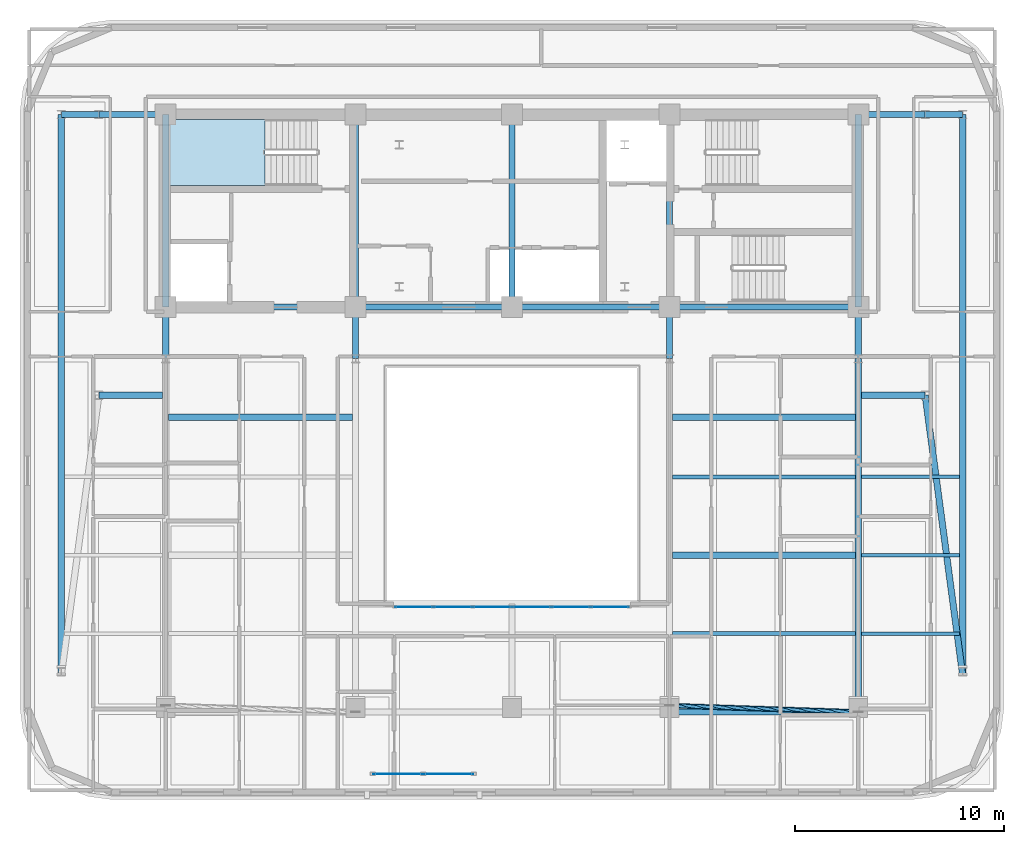
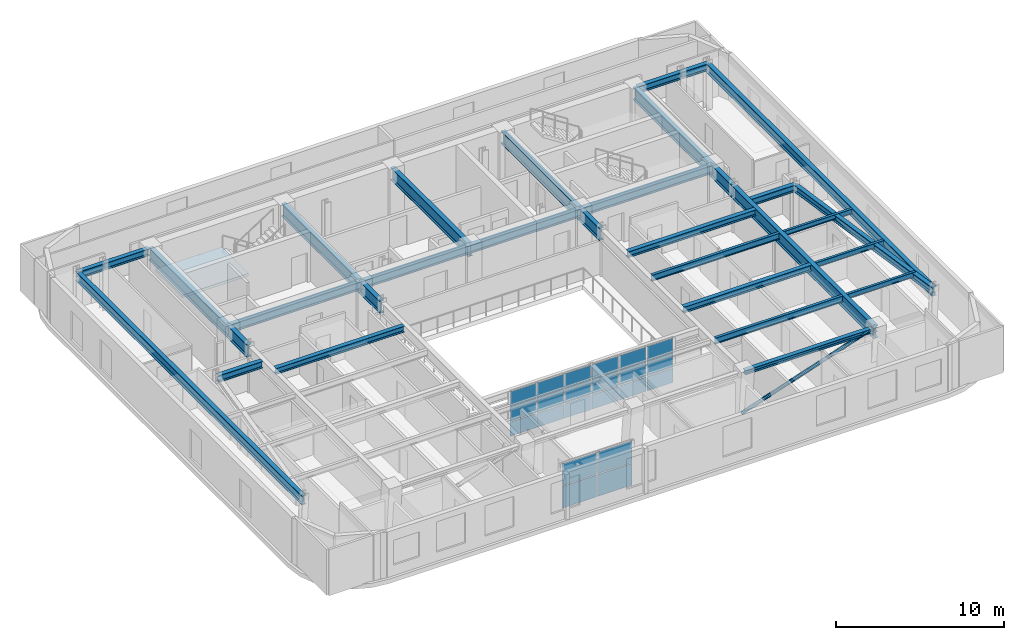
# One storey, part 3 of 14: 32 beams, 22 plates, 1 member, 1 slab, 3 elements without a shape of their own.
"""IFC4 building model written with IfcOpenShell, lengths in metres."""

from ifc_helpers import new_model, si_unit, direction, frame, origin, origin_2d, place, context, subcontext, project, spatial, polyline, rectangle, hollow_circle, i_section, outline, extrude, material, layer, layer_set, material_profile, profile_set, type_object, element, aggregate, save


model = new_model("IFC4")

# Units and contexts
model_context = context("Model", 3, precision=1e-05, world=origin(), true_north=direction((0.0, 1.0)))
body_context = subcontext(model_context, "Body", "Model", "MODEL_VIEW")
ifc_project = project(units=[si_unit("LENGTHUNIT", "METRE"), si_unit("AREAUNIT", "SQUARE_METRE"), si_unit("VOLUMEUNIT", "CUBIC_METRE"), si_unit("PLANEANGLEUNIT", "RADIAN"), si_unit("MASSUNIT", "GRAM", prefix="KILO")], contexts=[model_context])

# Site, building, storey
site_placement = place(None, origin())
site = spatial("IfcSite", under=ifc_project, at=site_placement, CompositionType="ELEMENT")
building_placement = place(site_placement, origin())
building = spatial("IfcBuilding", under=site, at=building_placement, Name="Zarnavel Station Tower", CompositionType="ELEMENT")
storey_placement = place(building_placement, frame((0.0, 0.0, 193.199951171875)))
storey = spatial("IfcBuildingStorey", under=building, at=storey_placement, Name="L52", CompositionType="ELEMENT", Elevation=193.199951171875)

# Member
ifc_material_1 = material(Name="Steel S355J2", Category="steel")
ifc_material_profile_1 = material_profile(ifc_material_1, hollow_circle(Radius=0.122314453125, WallThickness=0.010009765625, at=origin_2d()), Name="CHS244.5x10")
ifc_profile_set_1 = profile_set([ifc_material_profile_1], Name="Steel S355J2")
member_type = type_object("IfcMemberType", Name="DB_EXT_CHS245", PredefinedType="BRACE", material=ifc_profile_set_1)
member_placement = place(storey_placement, frame((36.35009765625, 8.72021484375, 0.0), z_axis=(0.937681259663, -0.031367345473, 0.3460779463), x_axis=(0.033433332735, 0.999440949863, 0.0)))
element("IfcMember", 1, at=member_placement, inside=storey, type_object=member_type, Name="L52 Persian Exterior Diagonal Frame Brace 2", PredefinedType="BRACE", context=body_context, shape_type="SweptSolid", body=[
    extrude(hollow_circle(Radius=0.122314453125, WallThickness=0.010009765625, at=origin_2d()), origin(), (0.0, 0.0, 1.0), 9.6513671875),
])

# Beams
ifc_material_2 = material(Name="Steel S355J2", Category="steel")
ifc_material_profile_2 = material_profile(ifc_material_2, i_section(OverallWidth=0.300048828125, OverallDepth=0.320068359375, WebThickness=0.011474609375, FlangeThickness=0.0205078125, FilletRadius=0.027099609375, at=origin_2d()), Name="HEB320")
ifc_profile_set_2 = profile_set([ifc_material_profile_2], Name="Steel S355J2")
beam_type_1 = type_object("IfcBeamType", Name="EB_HEB320", PredefinedType="SPANDREL", material=ifc_profile_set_2)
beam_1_placement = place(storey_placement, frame((36.35009765625, 8.41748046875, 3.179931640625), z_axis=(1.0, 0.0, 0.0), x_axis=(0.0, 1.0, 0.0)))
element("IfcBeam", 2, at=beam_1_placement, inside=storey, type_object=beam_type_1, Name="L52 South Raked Spandrel 4", PredefinedType="SPANDREL", context=body_context, shape_type="SweptSolid", body=[
    extrude(i_section(OverallWidth=0.300048828125, OverallDepth=0.320068359375, WebThickness=0.011474609375, FlangeThickness=0.0205078125, FilletRadius=0.027099609375, at=origin_2d()), origin(), (0.0, 0.0, 1.0), 9.0498046875),
])
ifc_material_3 = material(Name="Steel S355J2", Category="steel")
ifc_material_profile_3 = material_profile(ifc_material_3, i_section(OverallWidth=0.300048828125, OverallDepth=0.43994140625, WebThickness=0.011474609375, FlangeThickness=0.02099609375, FilletRadius=0.027099609375, at=origin_2d()), Name="HEA450")
ifc_profile_set_3 = profile_set([ifc_material_profile_3], Name="Steel S355J2")
beam_type_2 = type_object("IfcBeamType", Name="FB_HEA450", PredefinedType="BEAM", material=ifc_profile_set_3)
beam_2_placement = place(storey_placement, frame((36.4951171875, 15.930419921875, 3.1201171875), z_axis=(1.0, 0.0, 0.0), x_axis=(0.0, 1.0, 0.0)))
element("IfcBeam", 3, at=beam_2_placement, inside=storey, type_object=beam_type_2, Name="L52 East Bay Beam 2", PredefinedType="BEAM", context=body_context, shape_type="SweptSolid", body=[
    extrude(i_section(OverallWidth=0.300048828125, OverallDepth=0.43994140625, WebThickness=0.011474609375, FlangeThickness=0.02099609375, FilletRadius=0.027099609375, at=origin_2d()), origin(), (0.0, 0.0, 1.0), 8.759765625),
])
beam_3_placement = place(storey_placement, frame((12.344970703125, 22.54345703125, 3.1201171875), z_axis=(1.0, 0.0, 0.0), x_axis=(0.0, 1.0, 0.0)))
element("IfcBeam", 4, at=beam_3_placement, inside=storey, type_object=beam_type_2, Name="L52 West Bay Beam 4", PredefinedType="BEAM", context=body_context, shape_type="SweptSolid", body=[
    extrude(i_section(OverallWidth=0.300048828125, OverallDepth=0.43994140625, WebThickness=0.011474609375, FlangeThickness=0.02099609375, FilletRadius=0.027099609375, at=origin_2d()), origin(), (0.0, 0.0, 1.0), 8.81005859375),
])
beam_4_placement = place(storey_placement, frame((36.4951171875, 22.54345703125, 3.1201171875), z_axis=(1.0, 0.0, 0.0), x_axis=(0.0, 1.0, 0.0)))
element("IfcBeam", 5, at=beam_4_placement, inside=storey, type_object=beam_type_2, Name="L52 East Bay Beam 4", PredefinedType="BEAM", context=body_context, shape_type="SweptSolid", body=[
    extrude(i_section(OverallWidth=0.300048828125, OverallDepth=0.43994140625, WebThickness=0.011474609375, FlangeThickness=0.02099609375, FilletRadius=0.027099609375, at=origin_2d()), origin(), (0.0, 0.0, 1.0), 8.759765625),
])
ifc_material_4 = material(Name="Steel S355J2", Category="steel")
ifc_material_profile_4 = material_profile(ifc_material_4, i_section(OverallWidth=0.18994140625, OverallDepth=0.449951171875, WebThickness=0.009521484375, FlangeThickness=0.0146484375, FilletRadius=0.02099609375, at=origin_2d()), Name="IPE450")
ifc_profile_set_4 = profile_set([ifc_material_profile_4], Name="Steel S355J2")
beam_type_3 = type_object("IfcBeamType", Name="FB_IPE450", PredefinedType="BEAM", material=ifc_profile_set_4)
for number, where, z_axis, x_axis, name in (
    (6, (36.4951171875, 12.174072265625, 3.114990234375), (1.0, 0.0, 0.0), (0.0, 1.0, 0.0), "L52 East Bay Beam 1"),
    (7, (36.4951171875, 19.68701171875, 3.114990234375), (1.0, 0.0, 0.0), (0.0, 1.0, 0.0), "L52 East Bay Beam 3"),
):
    element("IfcBeam", number, at=place(storey_placement, frame(where, z_axis=z_axis, x_axis=x_axis)), inside=storey, type_object=beam_type_3, Name=name, PredefinedType="BEAM", context=body_context, shape_type="SweptSolid", body=[
        extrude(i_section(OverallWidth=0.18994140625, OverallDepth=0.449951171875, WebThickness=0.009521484375, FlangeThickness=0.0146484375, FilletRadius=0.02099609375, at=origin_2d()), origin(), (0.0, 0.0, 1.0), 8.759765625),
    ])
ifc_material_5 = material(Name="Steel S355J2", Category="steel")
ifc_material_profile_5 = material_profile(ifc_material_5, i_section(OverallWidth=0.300048828125, OverallDepth=0.5, WebThickness=0.014404296875, FlangeThickness=0.028076171875, FilletRadius=0.027099609375, at=origin_2d()), Name="HEB500")
ifc_profile_set_5 = profile_set([ifc_material_profile_5], Name="Steel S355J2")
beam_type_4 = type_object("IfcBeamType", Name="FG_HEB500", PredefinedType="USERDEFINED", material=ifc_profile_set_5)
beam_5_placement = place(storey_placement, frame((7.199951171875, 37.050048828125, 3.090087890625), z_axis=(1.0, 0.0, 0.0), x_axis=(0.0, 1.0, 0.0)))
element("IfcBeam", 8, at=beam_5_placement, inside=storey, type_object=beam_type_4, Name="L52 West Wing North Tie 1", ObjectType="GIRDER", PredefinedType="USERDEFINED", context=body_context, shape_type="SweptSolid", body=[
    extrude(i_section(OverallWidth=0.300048828125, OverallDepth=0.5, WebThickness=0.014404296875, FlangeThickness=0.028076171875, FilletRadius=0.027099609375, at=origin_2d()), origin(), (0.0, 0.0, 1.0), 1.800048828125),
])
for number, where, z_axis, x_axis, name in (
    (9, (9.0, 23.60009765625, 3.090087890625), (1.0, 0.0, 0.0), (0.0, 1.0, 0.0), "L52 West Wing South Tie 2"),
    (10, (9.0, 37.050048828125, 3.090087890625), (1.0, 0.0, 0.0), (0.0, 1.0, 0.0), "L52 West Wing North Tie 2"),
):
    element("IfcBeam", number, at=place(storey_placement, frame(where, z_axis=z_axis, x_axis=x_axis)), inside=storey, type_object=beam_type_4, Name=name, ObjectType="GIRDER", PredefinedType="USERDEFINED", context=body_context, shape_type="SweptSolid", body=[
        extrude(i_section(OverallWidth=0.300048828125, OverallDepth=0.5, WebThickness=0.014404296875, FlangeThickness=0.028076171875, FilletRadius=0.027099609375, at=origin_2d()), origin(), (0.0, 0.0, 1.0), 3.054931640625),
    ])
for number, where, z_axis, x_axis, name in (
    (11, (45.544921875, 23.60009765625, 3.090087890625), (1.0, 0.0, 0.0), (0.0, 1.0, 0.0), "L52 East Wing South Tie 1"),
    (12, (45.544921875, 37.050048828125, 3.090087890625), (1.0, 0.0, 0.0), (0.0, 1.0, 0.0), "L52 East Wing North Tie 1"),
):
    element("IfcBeam", number, at=place(storey_placement, frame(where, z_axis=z_axis, x_axis=x_axis)), inside=storey, type_object=beam_type_4, Name=name, ObjectType="GIRDER", PredefinedType="USERDEFINED", context=body_context, shape_type="SweptSolid", body=[
        extrude(i_section(OverallWidth=0.300048828125, OverallDepth=0.5, WebThickness=0.014404296875, FlangeThickness=0.028076171875, FilletRadius=0.027099609375, at=origin_2d()), origin(), (0.0, 0.0, 1.0), 3.05517578125),
    ])
beam_6_placement = place(storey_placement, frame((48.60009765625, 23.60009765625, 3.090087890625), z_axis=(0.132843570895, -0.991137016599, 0.0), x_axis=(0.991137016599, 0.132843570895, 0.0)))
element("IfcBeam", 13, at=beam_6_placement, inside=storey, type_object=beam_type_4, Name="L52 East Wing South Tie 2", ObjectType="GIRDER", PredefinedType="USERDEFINED", context=body_context, shape_type="SweptSolid", body=[
    extrude(i_section(OverallWidth=0.300048828125, OverallDepth=0.5, WebThickness=0.014404296875, FlangeThickness=0.028076171875, FilletRadius=0.027099609375, at=origin_2d()), origin(), (0.0, 0.0, 1.0), 13.54833984375),
])
beam_7_placement = place(storey_placement, frame((48.60009765625, 37.050048828125, 3.090087890625), z_axis=(1.0, 0.0, 0.0), x_axis=(0.0, 1.0, 0.0)))
element("IfcBeam", 14, at=beam_7_placement, inside=storey, type_object=beam_type_4, Name="L52 East Wing North Tie 2", ObjectType="GIRDER", PredefinedType="USERDEFINED", context=body_context, shape_type="SweptSolid", body=[
    extrude(i_section(OverallWidth=0.300048828125, OverallDepth=0.5, WebThickness=0.014404296875, FlangeThickness=0.028076171875, FilletRadius=0.027099609375, at=origin_2d()), origin(), (0.0, 0.0, 1.0), 1.7998046875),
])
ifc_material_6 = material(Name="Steel S355J2", Category="steel")
ifc_material_profile_6 = material_profile(ifc_material_6, i_section(OverallWidth=0.300048828125, OverallDepth=0.60009765625, WebThickness=0.015380859375, FlangeThickness=0.030029296875, FilletRadius=0.027099609375, at=origin_2d()), Name="HEB600")
ifc_profile_set_6 = profile_set([ifc_material_profile_6], Name="Steel S355J2")
beam_type_5 = type_object("IfcBeamType", Name="FG_HEB600", PredefinedType="USERDEFINED", material=ifc_profile_set_6)
beam_8_placement = place(storey_placement, frame((12.199951171875, 27.820068359375, 3.0400390625), z_axis=(1.0, 0.0, 0.0), x_axis=(0.0, 1.0, 0.0)))
element("IfcBeam", 15, at=beam_8_placement, inside=storey, type_object=beam_type_5, Name="L52 Core Front Coupling Beam 1", ObjectType="GIRDER", PredefinedType="USERDEFINED", context=body_context, shape_type="SweptSolid", body=[
    extrude(i_section(OverallWidth=0.300048828125, OverallDepth=0.60009765625, WebThickness=0.015380859375, FlangeThickness=0.030029296875, FilletRadius=0.027099609375, at=origin_2d()), origin(), (0.0, 0.0, 1.0), 9.10009765625),
])
beam_9_placement = place(storey_placement, frame((21.300048828125, 27.820068359375, 3.0400390625), z_axis=(1.0, 0.0, 0.0), x_axis=(0.0, 1.0, 0.0)))
element("IfcBeam", 16, at=beam_9_placement, inside=storey, type_object=beam_type_5, Name="L52 Core Front Coupling Beam 2", ObjectType="GIRDER", PredefinedType="USERDEFINED", context=body_context, shape_type="SweptSolid", body=[
    extrude(i_section(OverallWidth=0.300048828125, OverallDepth=0.60009765625, WebThickness=0.015380859375, FlangeThickness=0.030029296875, FilletRadius=0.027099609375, at=origin_2d()), origin(), (0.0, 0.0, 1.0), 7.5),
])
beam_10_placement = place(storey_placement, frame((28.800048828125, 27.820068359375, 3.0400390625), z_axis=(1.0, 0.0, 0.0), x_axis=(0.0, 1.0, 0.0)))
element("IfcBeam", 17, at=beam_10_placement, inside=storey, type_object=beam_type_5, Name="L52 Core Front Coupling Beam 3", ObjectType="GIRDER", PredefinedType="USERDEFINED", context=body_context, shape_type="SweptSolid", body=[
    extrude(i_section(OverallWidth=0.300048828125, OverallDepth=0.60009765625, WebThickness=0.015380859375, FlangeThickness=0.030029296875, FilletRadius=0.027099609375, at=origin_2d()), origin(), (0.0, 0.0, 1.0), 7.550048828125),
])
beam_11_placement = place(storey_placement, frame((36.35009765625, 27.820068359375, 3.0400390625), z_axis=(1.0, 0.0, 0.0), x_axis=(0.0, 1.0, 0.0)))
element("IfcBeam", 18, at=beam_11_placement, inside=storey, type_object=beam_type_5, Name="L52 Core Front Coupling Beam 4", ObjectType="GIRDER", PredefinedType="USERDEFINED", context=body_context, shape_type="SweptSolid", body=[
    extrude(i_section(OverallWidth=0.300048828125, OverallDepth=0.60009765625, WebThickness=0.015380859375, FlangeThickness=0.030029296875, FilletRadius=0.027099609375, at=origin_2d()), origin(), (0.0, 0.0, 1.0), 9.0498046875),
])
ifc_material_7 = material(Name="Steel S355J2", Category="steel")
ifc_material_profile_7 = material_profile(ifc_material_7, i_section(OverallWidth=0.300048828125, OverallDepth=0.64990234375, WebThickness=0.01611328125, FlangeThickness=0.031005859375, FilletRadius=0.027099609375, at=origin_2d()), Name="HEB650")
ifc_profile_set_7 = profile_set([ifc_material_profile_7], Name="Steel S355J2")
beam_type_6 = type_object("IfcBeamType", Name="FG_HEB650", PredefinedType="USERDEFINED", material=ifc_profile_set_7)
for number, where, z_axis, x_axis, name in (
    (19, (7.199951171875, 10.171875, 3.01513671875), (0.0, 1.0, 0.0), (-1.0, 0.0, 0.0), "L52 Wing NS Girder 1"),
    (20, (50.39990234375, 10.171875, 3.01513671875), (0.0, 1.0, 0.0), (-1.0, 0.0, 0.0), "L52 Wing NS Girder 2"),
):
    element("IfcBeam", number, at=place(storey_placement, frame(where, z_axis=z_axis, x_axis=x_axis)), inside=storey, type_object=beam_type_6, Name=name, ObjectType="GIRDER", PredefinedType="USERDEFINED", context=body_context, shape_type="SweptSolid", body=[
        extrude(i_section(OverallWidth=0.300048828125, OverallDepth=0.64990234375, WebThickness=0.01611328125, FlangeThickness=0.031005859375, FilletRadius=0.027099609375, at=origin_2d()), origin(), (0.0, 0.0, 1.0), 26.878173828125),
    ])
ifc_material_8 = material(Name="Steel S355J2", Category="steel")
ifc_material_profile_8 = material_profile(ifc_material_8, i_section(OverallWidth=0.300048828125, OverallDepth=0.89990234375, WebThickness=0.0185546875, FlangeThickness=0.034912109375, FilletRadius=0.030029296875, at=origin_2d()), Name="HEB900")
ifc_profile_set_8 = profile_set([ifc_material_profile_8], Name="Steel S355J2")
beam_type_7 = type_object("IfcBeamType", Name="FG_HEB900", PredefinedType="USERDEFINED", material=ifc_profile_set_8)
for number, where, z_axis, x_axis, name in (
    (21, (12.199951171875, 25.35009765625, 2.89013671875), (0.0, 1.0, 0.0), (-1.0, 0.0, 0.0), "L52 Inner-Zone NS Girder 1"),
    (22, (21.300048828125, 25.35009765625, 2.89013671875), (0.0, 1.0, 0.0), (-1.0, 0.0, 0.0), "L52 Inner-Zone NS Girder 2"),
    (23, (36.35009765625, 25.35009765625, 2.89013671875), (0.0, 1.0, 0.0), (-1.0, 0.0, 0.0), "L52 Inner-Zone NS Girder 4"),
):
    element("IfcBeam", number, at=place(storey_placement, frame(where, z_axis=z_axis, x_axis=x_axis)), inside=storey, type_object=beam_type_7, Name=name, ObjectType="GIRDER", PredefinedType="USERDEFINED", context=body_context, shape_type="SweptSolid", body=[
        extrude(i_section(OverallWidth=0.300048828125, OverallDepth=0.89990234375, WebThickness=0.0185546875, FlangeThickness=0.034912109375, FilletRadius=0.030029296875, at=origin_2d()), origin(), (0.0, 0.0, 1.0), 2.469970703125),
    ])
beam_12_placement = place(storey_placement, frame((45.39990234375, 8.41748046875, 2.89013671875), z_axis=(0.0, 1.0, 0.0), x_axis=(-1.0, 0.0, 0.0)))
element("IfcBeam", 24, at=beam_12_placement, inside=storey, type_object=beam_type_7, Name="L52 South-Zone NS Girder 5", ObjectType="GIRDER", PredefinedType="USERDEFINED", context=body_context, shape_type="SweptSolid", body=[
    extrude(i_section(OverallWidth=0.300048828125, OverallDepth=0.89990234375, WebThickness=0.0185546875, FlangeThickness=0.034912109375, FilletRadius=0.030029296875, at=origin_2d()), origin(), (0.0, 0.0, 1.0), 16.9326171875),
])
beam_13_placement = place(storey_placement, frame((45.39990234375, 25.35009765625, 2.89013671875), z_axis=(0.0, 1.0, 0.0), x_axis=(-1.0, 0.0, 0.0)))
element("IfcBeam", 25, at=beam_13_placement, inside=storey, type_object=beam_type_7, Name="L52 Inner-Zone NS Girder 5", ObjectType="GIRDER", PredefinedType="USERDEFINED", context=body_context, shape_type="SweptSolid", body=[
    extrude(i_section(OverallWidth=0.300048828125, OverallDepth=0.89990234375, WebThickness=0.0185546875, FlangeThickness=0.034912109375, FilletRadius=0.030029296875, at=origin_2d()), origin(), (0.0, 0.0, 1.0), 2.469970703125),
])
ifc_material_9 = material(Name="Steel S355J2", Category="steel")
ifc_material_profile_9 = material_profile(ifc_material_9, i_section(OverallWidth=0.169921875, OverallDepth=0.360107421875, WebThickness=0.008056640625, FlangeThickness=0.0126953125, FilletRadius=0.01806640625, at=origin_2d()), Name="IPE360")
ifc_profile_set_9 = profile_set([ifc_material_profile_9], Name="Steel S355J2")
beam_type_8 = type_object("IfcBeamType", Name="FJ_IPE360", PredefinedType="JOIST", material=ifc_profile_set_9)
for number, where, z_axis, x_axis, name in (
    (26, (45.544921875, 12.174072265625, 3.16015625), (1.0, 0.0, 0.0), (0.0, 1.0, 0.0), "L52 East Wing Joist 1"),
    (27, (45.544921875, 15.930419921875, 3.16015625), (1.0, 0.0, 0.0), (0.0, 1.0, 0.0), "L52 East Wing Joist 2"),
    (28, (45.544921875, 19.68701171875, 3.16015625), (1.0, 0.0, 0.0), (0.0, 1.0, 0.0), "L52 East Wing Joist 3"),
):
    element("IfcBeam", number, at=place(storey_placement, frame(where, z_axis=z_axis, x_axis=x_axis)), inside=storey, type_object=beam_type_8, Name=name, PredefinedType="JOIST", context=body_context, shape_type="SweptSolid", body=[
        extrude(i_section(OverallWidth=0.169921875, OverallDepth=0.360107421875, WebThickness=0.008056640625, FlangeThickness=0.0126953125, FilletRadius=0.01806640625, at=origin_2d()), origin(), (0.0, 0.0, 1.0), 4.7099609375),
    ])
ifc_material_10 = material(Name="Steel S460M", Category="steel")
ifc_material_profile_10 = material_profile(ifc_material_10, i_section(OverallWidth=0.302001953125, OverallDepth=0.909912109375, WebThickness=0.02099609375, FlangeThickness=0.0400390625, FilletRadius=0.030029296875, at=origin_2d()), Name="HEM900")
ifc_profile_set_10 = profile_set([ifc_material_profile_10], Name="Steel S460M")
beam_type_9 = type_object("IfcBeamType", Name="TG_HEM900", PredefinedType="USERDEFINED", material=ifc_profile_set_10)
for number, where, z_axis, x_axis, name in (
    (29, (12.199951171875, 27.820068359375, 2.885009765625), (0.0, 1.0, 0.0), (-1.0, 0.0, 0.0), "L52 Core Spine Coupling Girder 1"),
    (30, (21.300048828125, 27.820068359375, 2.885009765625), (0.0, 1.0, 0.0), (-1.0, 0.0, 0.0), "L52 Core Spine Coupling Girder 2"),
    (31, (28.800048828125, 27.820068359375, 2.885009765625), (0.0, 1.0, 0.0), (-1.0, 0.0, 0.0), "L52 Core Spine Coupling Girder 3"),
    (32, (36.35009765625, 27.820068359375, 2.885009765625), (0.0, 1.0, 0.0), (-1.0, 0.0, 0.0), "L52 Core Spine Coupling Girder 4"),
    (33, (45.39990234375, 27.820068359375, 2.885009765625), (0.0, 1.0, 0.0), (-1.0, 0.0, 0.0), "L52 Core Spine Coupling Girder 5"),
):
    element("IfcBeam", number, at=place(storey_placement, frame(where, z_axis=z_axis, x_axis=x_axis)), inside=storey, type_object=beam_type_9, Name=name, ObjectType="GIRDER", PredefinedType="USERDEFINED", context=body_context, shape_type="SweptSolid", body=[
        extrude(i_section(OverallWidth=0.302001953125, OverallDepth=0.909912109375, WebThickness=0.02099609375, FlangeThickness=0.0400390625, FilletRadius=0.030029296875, at=origin_2d()), origin(), (0.0, 0.0, 1.0), 9.22998046875),
    ])

# Curtain wall, plates
ifc_material_11 = material(Name="Aluminium Dark Anodised and Solar-Control Glass", Category="aluminium")
ifc_layer_1 = layer(ifc_material_11, 0.179931640625)
ifc_layer_set_1 = layer_set([ifc_layer_1], Name="CWS5")
curtain_wall_type_1 = type_object("IfcCurtainWallType", Name="CWS5", PredefinedType="NOTDEFINED", material=ifc_layer_set_1)
curtain_wall_1_placement = place(storey_placement, origin())
curtain_wall_1 = element("IfcCurtainWall", 34, at=curtain_wall_1_placement, inside=storey, type_object=curtain_wall_type_1, Name="L52 Curtain Wall CWS5-L52-AS", PredefinedType="NOTDEFINED")
ifc_material_12 = material(Name="Double Low-E Dark Solar-Control Glass", Category="glass")
ifc_layer_2 = layer(ifc_material_12, 0.033935546875)
ifc_layer_set_2 = layer_set([ifc_layer_2], Name="CWS5_PNL")
plate_type_1 = type_object("IfcPlateType", Name="CWS5_PNL", PredefinedType="CURTAIN_PANEL", material=ifc_layer_set_2)
plate_1_placement = place(storey_placement, frame((24.106689453125, 13.449951171875, 0.06005859375), z_axis=(0.0, 0.0, 1.0), x_axis=(1.0, 0.0, 0.0)))
plate_1 = element("IfcPlate", 35, at=plate_1_placement, type_object=plate_type_1, Name="CW5 panel 1.1", PredefinedType="CURTAIN_PANEL", context=body_context, shape_type="SweptSolid", body=[
    extrude(rectangle(XDim=1.793212890625, YDim=0.028076171875, at=origin_2d()), origin(), (0.0, 0.0, 1.0), 1.023193359375),
])
plate_2_placement = place(storey_placement, frame((24.106689453125, 13.449951171875, 1.1435546875), z_axis=(0.0, 0.0, 1.0), x_axis=(1.0, 0.0, 0.0)))
plate_2 = element("IfcPlate", 36, at=plate_2_placement, type_object=plate_type_1, Name="CW5 panel 1.2", PredefinedType="CURTAIN_PANEL", context=body_context, shape_type="SweptSolid", body=[
    extrude(rectangle(XDim=1.793212890625, YDim=0.028076171875, at=origin_2d()), origin(), (0.0, 0.0, 1.0), 1.053466796875),
])
plate_3_placement = place(storey_placement, frame((24.106689453125, 13.449951171875, 2.2568359375), z_axis=(0.0, 0.0, 1.0), x_axis=(1.0, 0.0, 0.0)))
plate_3 = element("IfcPlate", 37, at=plate_3_placement, type_object=plate_type_1, Name="CW5 panel 1.3", PredefinedType="CURTAIN_PANEL", context=body_context, shape_type="SweptSolid", body=[
    extrude(rectangle(XDim=1.793212890625, YDim=0.028076171875, at=origin_2d()), origin(), (0.0, 0.0, 1.0), 1.023193359375),
])
plate_4_placement = place(storey_placement, frame((25.97509765625, 13.449951171875, 0.06005859375), z_axis=(0.0, 0.0, 1.0), x_axis=(1.0, 0.0, 0.0)))
plate_4 = element("IfcPlate", 38, at=plate_4_placement, type_object=plate_type_1, Name="CW5 panel 2.1", PredefinedType="CURTAIN_PANEL", context=body_context, shape_type="SweptSolid", body=[
    extrude(rectangle(XDim=1.8232421875, YDim=0.028076171875, at=origin_2d()), origin(), (0.0, 0.0, 1.0), 1.023193359375),
])
plate_5_placement = place(storey_placement, frame((25.97509765625, 13.449951171875, 1.1435546875), z_axis=(0.0, 0.0, 1.0), x_axis=(1.0, 0.0, 0.0)))
plate_5 = element("IfcPlate", 39, at=plate_5_placement, type_object=plate_type_1, Name="CW5 panel 2.2", PredefinedType="CURTAIN_PANEL", context=body_context, shape_type="SweptSolid", body=[
    extrude(rectangle(XDim=1.8232421875, YDim=0.028076171875, at=origin_2d()), origin(), (0.0, 0.0, 1.0), 1.053466796875),
])
plate_6_placement = place(storey_placement, frame((25.97509765625, 13.449951171875, 2.2568359375), z_axis=(0.0, 0.0, 1.0), x_axis=(1.0, 0.0, 0.0)))
plate_6 = element("IfcPlate", 40, at=plate_6_placement, type_object=plate_type_1, Name="CW5 panel 2.3", PredefinedType="CURTAIN_PANEL", context=body_context, shape_type="SweptSolid", body=[
    extrude(rectangle(XDim=1.8232421875, YDim=0.028076171875, at=origin_2d()), origin(), (0.0, 0.0, 1.0), 1.023193359375),
])
plate_7_placement = place(storey_placement, frame((27.8583984375, 13.449951171875, 0.06005859375), z_axis=(0.0, 0.0, 1.0), x_axis=(1.0, 0.0, 0.0)))
plate_7 = element("IfcPlate", 41, at=plate_7_placement, type_object=plate_type_1, Name="CW5 panel 3.1", PredefinedType="CURTAIN_PANEL", context=body_context, shape_type="SweptSolid", body=[
    extrude(rectangle(XDim=1.8232421875, YDim=0.028076171875, at=origin_2d()), origin(), (0.0, 0.0, 1.0), 1.023193359375),
])
plate_8_placement = place(storey_placement, frame((27.8583984375, 13.449951171875, 1.1435546875), z_axis=(0.0, 0.0, 1.0), x_axis=(1.0, 0.0, 0.0)))
plate_8 = element("IfcPlate", 42, at=plate_8_placement, type_object=plate_type_1, Name="CW5 panel 3.2", PredefinedType="CURTAIN_PANEL", context=body_context, shape_type="SweptSolid", body=[
    extrude(rectangle(XDim=1.8232421875, YDim=0.028076171875, at=origin_2d()), origin(), (0.0, 0.0, 1.0), 1.053466796875),
])
plate_9_placement = place(storey_placement, frame((27.8583984375, 13.449951171875, 2.2568359375), z_axis=(0.0, 0.0, 1.0), x_axis=(1.0, 0.0, 0.0)))
plate_9 = element("IfcPlate", 43, at=plate_9_placement, type_object=plate_type_1, Name="CW5 panel 3.3", PredefinedType="CURTAIN_PANEL", context=body_context, shape_type="SweptSolid", body=[
    extrude(rectangle(XDim=1.8232421875, YDim=0.028076171875, at=origin_2d()), origin(), (0.0, 0.0, 1.0), 1.023193359375),
])
plate_10_placement = place(storey_placement, frame((29.74169921875, 13.449951171875, 0.06005859375), z_axis=(0.0, 0.0, 1.0), x_axis=(1.0, 0.0, 0.0)))
plate_10 = element("IfcPlate", 44, at=plate_10_placement, type_object=plate_type_1, Name="CW5 panel 4.1", PredefinedType="CURTAIN_PANEL", context=body_context, shape_type="SweptSolid", body=[
    extrude(rectangle(XDim=1.8232421875, YDim=0.028076171875, at=origin_2d()), origin(), (0.0, 0.0, 1.0), 1.023193359375),
])
plate_11_placement = place(storey_placement, frame((29.74169921875, 13.449951171875, 1.1435546875), z_axis=(0.0, 0.0, 1.0), x_axis=(1.0, 0.0, 0.0)))
plate_11 = element("IfcPlate", 45, at=plate_11_placement, type_object=plate_type_1, Name="CW5 panel 4.2", PredefinedType="CURTAIN_PANEL", context=body_context, shape_type="SweptSolid", body=[
    extrude(rectangle(XDim=1.8232421875, YDim=0.028076171875, at=origin_2d()), origin(), (0.0, 0.0, 1.0), 1.053466796875),
])
plate_12_placement = place(storey_placement, frame((29.74169921875, 13.449951171875, 2.2568359375), z_axis=(0.0, 0.0, 1.0), x_axis=(1.0, 0.0, 0.0)))
plate_12 = element("IfcPlate", 46, at=plate_12_placement, type_object=plate_type_1, Name="CW5 panel 4.3", PredefinedType="CURTAIN_PANEL", context=body_context, shape_type="SweptSolid", body=[
    extrude(rectangle(XDim=1.8232421875, YDim=0.028076171875, at=origin_2d()), origin(), (0.0, 0.0, 1.0), 1.023193359375),
])
plate_13_placement = place(storey_placement, frame((31.625, 13.449951171875, 0.06005859375), z_axis=(0.0, 0.0, 1.0), x_axis=(1.0, 0.0, 0.0)))
plate_13 = element("IfcPlate", 47, at=plate_13_placement, type_object=plate_type_1, Name="CW5 panel 5.1", PredefinedType="CURTAIN_PANEL", context=body_context, shape_type="SweptSolid", body=[
    extrude(rectangle(XDim=1.8232421875, YDim=0.028076171875, at=origin_2d()), origin(), (0.0, 0.0, 1.0), 1.023193359375),
])
plate_14_placement = place(storey_placement, frame((31.625, 13.449951171875, 1.1435546875), z_axis=(0.0, 0.0, 1.0), x_axis=(1.0, 0.0, 0.0)))
plate_14 = element("IfcPlate", 48, at=plate_14_placement, type_object=plate_type_1, Name="CW5 panel 5.2", PredefinedType="CURTAIN_PANEL", context=body_context, shape_type="SweptSolid", body=[
    extrude(rectangle(XDim=1.8232421875, YDim=0.028076171875, at=origin_2d()), origin(), (0.0, 0.0, 1.0), 1.053466796875),
])
plate_15_placement = place(storey_placement, frame((31.625, 13.449951171875, 2.2568359375), z_axis=(0.0, 0.0, 1.0), x_axis=(1.0, 0.0, 0.0)))
plate_15 = element("IfcPlate", 49, at=plate_15_placement, type_object=plate_type_1, Name="CW5 panel 5.3", PredefinedType="CURTAIN_PANEL", context=body_context, shape_type="SweptSolid", body=[
    extrude(rectangle(XDim=1.8232421875, YDim=0.028076171875, at=origin_2d()), origin(), (0.0, 0.0, 1.0), 1.023193359375),
])
plate_16_placement = place(storey_placement, frame((33.493408203125, 13.449951171875, 0.06005859375), z_axis=(0.0, 0.0, 1.0), x_axis=(1.0, 0.0, 0.0)))
plate_16 = element("IfcPlate", 50, at=plate_16_placement, type_object=plate_type_1, Name="CW5 panel 6.1", PredefinedType="CURTAIN_PANEL", context=body_context, shape_type="SweptSolid", body=[
    extrude(rectangle(XDim=1.793212890625, YDim=0.028076171875, at=origin_2d()), origin(), (0.0, 0.0, 1.0), 1.023193359375),
])
plate_17_placement = place(storey_placement, frame((33.493408203125, 13.449951171875, 1.1435546875), z_axis=(0.0, 0.0, 1.0), x_axis=(1.0, 0.0, 0.0)))
plate_17 = element("IfcPlate", 51, at=plate_17_placement, type_object=plate_type_1, Name="CW5 panel 6.2", PredefinedType="CURTAIN_PANEL", context=body_context, shape_type="SweptSolid", body=[
    extrude(rectangle(XDim=1.793212890625, YDim=0.028076171875, at=origin_2d()), origin(), (0.0, 0.0, 1.0), 1.053466796875),
])
plate_18_placement = place(storey_placement, frame((33.493408203125, 13.449951171875, 2.2568359375), z_axis=(0.0, 0.0, 1.0), x_axis=(1.0, 0.0, 0.0)))
plate_18 = element("IfcPlate", 52, at=plate_18_placement, type_object=plate_type_1, Name="CW5 panel 6.3", PredefinedType="CURTAIN_PANEL", context=body_context, shape_type="SweptSolid", body=[
    extrude(rectangle(XDim=1.793212890625, YDim=0.028076171875, at=origin_2d()), origin(), (0.0, 0.0, 1.0), 1.023193359375),
])
aggregate(curtain_wall_1, [plate_1, plate_2, plate_3, plate_4, plate_5, plate_6, plate_7, plate_8, plate_9, plate_10, plate_11, plate_12, plate_13, plate_14, plate_15, plate_16, plate_17, plate_18])

ifc_material_13 = material(Name="Aluminium Dark Anodised and Solar-Control Glass", Category="aluminium")
ifc_layer_3 = layer(ifc_material_13, 0.179931640625)
ifc_layer_set_3 = layer_set([ifc_layer_3], Name="CWS6")
curtain_wall_type_2 = type_object("IfcCurtainWallType", Name="CWS6", PredefinedType="NOTDEFINED", material=ifc_layer_set_3)
curtain_wall_2_placement = place(storey_placement, origin())
curtain_wall_2 = element("IfcCurtainWall", 53, at=curtain_wall_2_placement, inside=storey, type_object=curtain_wall_type_2, Name="L52 Curtain Wall CWS6-LOG-L52", PredefinedType="NOTDEFINED")
ifc_material_14 = material(Name="Double Low-E Dark Solar-Control Glass", Category="glass")
ifc_layer_4 = layer(ifc_material_14, 0.0380859375)
ifc_layer_set_4 = layer_set([ifc_layer_4], Name="CWS6_PNL")
plate_type_2 = type_object("IfcPlateType", Name="CWS6_PNL", PredefinedType="CURTAIN_PANEL", material=ifc_layer_set_4)
plate_19_placement = place(storey_placement, frame((23.340087890625, 5.449951171875, 0.06005859375), z_axis=(0.0, 0.0, 1.0), x_axis=(1.0, 0.0, 0.0)))
plate_19 = element("IfcPlate", 54, at=plate_19_placement, type_object=plate_type_2, Name="CW6 panel 1.1", PredefinedType="CURTAIN_PANEL", context=body_context, shape_type="SweptSolid", body=[
    extrude(rectangle(XDim=2.360107421875, YDim=0.028076171875, at=origin_2d()), origin(), (0.0, 0.0, 1.0), 1.580078125),
])
plate_20_placement = place(storey_placement, frame((23.340087890625, 5.449951171875, 1.699951171875), z_axis=(0.0, 0.0, 1.0), x_axis=(1.0, 0.0, 0.0)))
plate_20 = element("IfcPlate", 55, at=plate_20_placement, type_object=plate_type_2, Name="CW6 panel 1.2", PredefinedType="CURTAIN_PANEL", context=body_context, shape_type="SweptSolid", body=[
    extrude(rectangle(XDim=2.360107421875, YDim=0.028076171875, at=origin_2d()), origin(), (0.0, 0.0, 1.0), 1.580078125),
])
plate_21_placement = place(storey_placement, frame((25.760009765625, 5.449951171875, 0.06005859375), z_axis=(0.0, 0.0, 1.0), x_axis=(1.0, 0.0, 0.0)))
plate_21 = element("IfcPlate", 56, at=plate_21_placement, type_object=plate_type_2, Name="CW6 panel 2.1", PredefinedType="CURTAIN_PANEL", context=body_context, shape_type="SweptSolid", body=[
    extrude(rectangle(XDim=2.360107421875, YDim=0.028076171875, at=origin_2d()), origin(), (0.0, 0.0, 1.0), 1.580078125),
])
plate_22_placement = place(storey_placement, frame((25.760009765625, 5.449951171875, 1.699951171875), z_axis=(0.0, 0.0, 1.0), x_axis=(1.0, 0.0, 0.0)))
plate_22 = element("IfcPlate", 57, at=plate_22_placement, type_object=plate_type_2, Name="CW6 panel 2.2", PredefinedType="CURTAIN_PANEL", context=body_context, shape_type="SweptSolid", body=[
    extrude(rectangle(XDim=2.360107421875, YDim=0.028076171875, at=origin_2d()), origin(), (0.0, 0.0, 1.0), 1.580078125),
])
aggregate(curtain_wall_2, [plate_19, plate_20, plate_21, plate_22])

# Stair, slab
ifc_material_15 = material(Name="Concrete C45/55", Category="concrete")
stair_type = type_object("IfcStairType", Name="ST_CORE_150", PredefinedType="HALF_TURN_STAIR", material=ifc_material_15)
stair_placement = place(storey_placement, origin())
stair = element("IfcStair", 58, at=stair_placement, inside=storey, type_object=stair_type, Name="L52 Core Exit Stair ST1", PredefinedType="HALF_TURN_STAIR")
ifc_material_16 = material(Name="Concrete C45/55", Category="concrete")
ifc_layer_5 = layer(ifc_material_16, 0.199951171875)
ifc_layer_set_5 = layer_set([ifc_layer_5], Name="SL_STAIR_LAND_200")
slab_type = type_object("IfcSlabType", Name="SL_STAIR_LAND_200", PredefinedType="LANDING", material=ifc_layer_set_5)
slab_placement = place(storey_placement, frame((0.0, 0.0, 1.60009765625)))
slab = element("IfcSlab", 59, at=slab_placement, type_object=slab_type, Name="ST1 landing 1", PredefinedType="LANDING", context=body_context, shape_type="SweptSolid", body=[
    extrude(outline(polyline([(16.9599609375, 36.820068359375), (12.39990234375, 36.820068359375), (12.39990234375, 33.659912109375), (16.9599609375, 33.659912109375), (16.9599609375, 36.820068359375)])), origin(), (0.0, 0.0, 1.0), 0.199951171875),
])
aggregate(stair, [slab])

save(model, "model.ifc")
